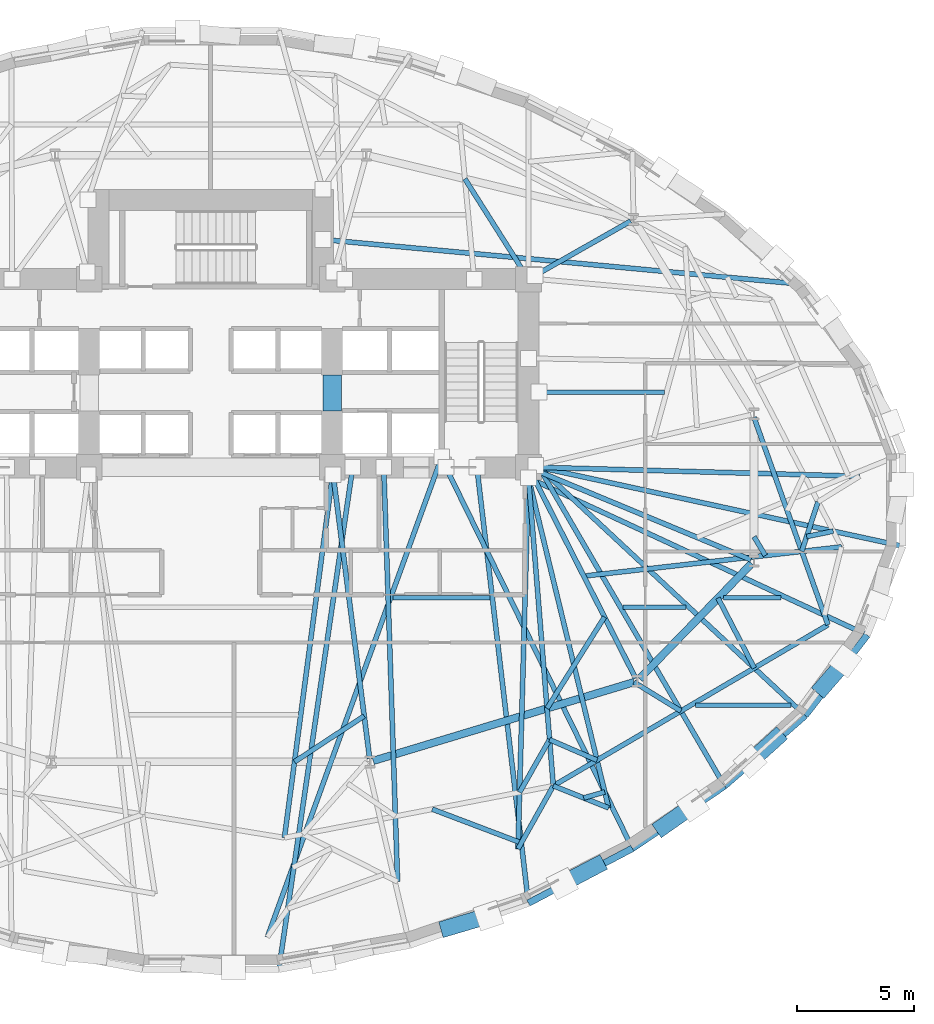
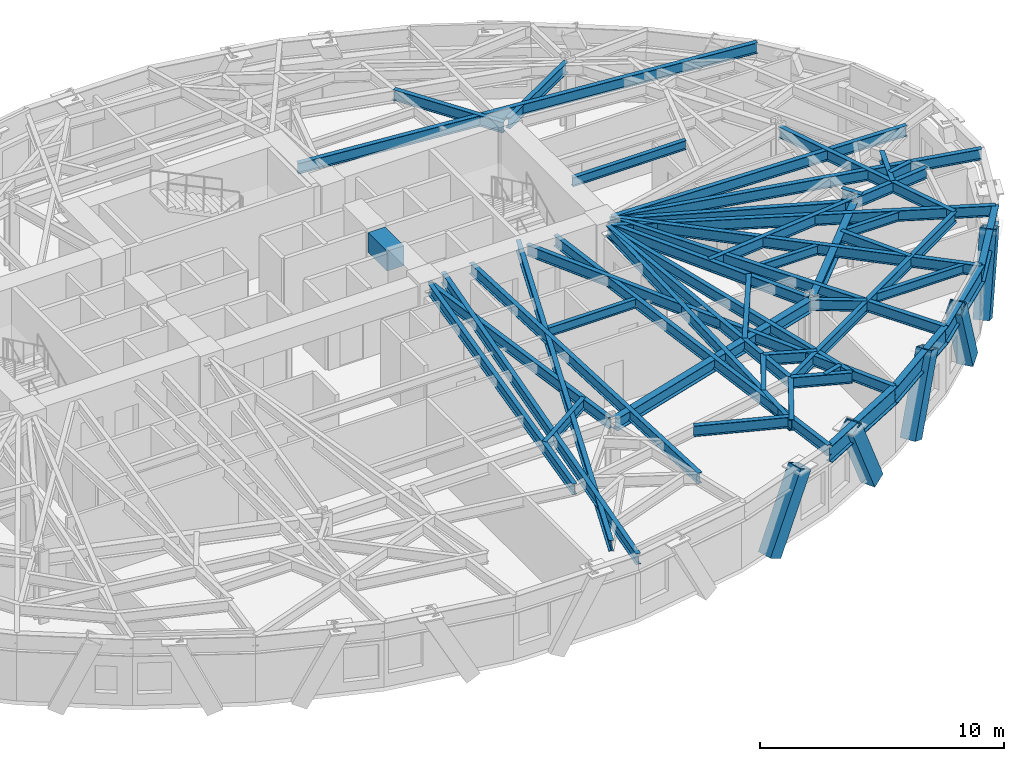
# One storey, part 3 of 14: 48 beams, 5 members.
"""IFC4 building model written with IfcOpenShell, lengths in metres."""

from ifc_helpers import new_model, si_unit, direction, frame, origin, origin_2d, place, context, subcontext, project, spatial, rectangle, hollow_rectangle, i_section, extrude, material, material_profile, profile_set, type_object, element, save


model = new_model("IFC4")

# Units and contexts
model_context = context("Model", 3, precision=1e-05, world=origin(), true_north=direction((0.0, 1.0)))
body_context = subcontext(model_context, "Body", "Model", "MODEL_VIEW")
ifc_project = project(units=[si_unit("LENGTHUNIT", "METRE"), si_unit("AREAUNIT", "SQUARE_METRE"), si_unit("VOLUMEUNIT", "CUBIC_METRE"), si_unit("PLANEANGLEUNIT", "RADIAN"), si_unit("MASSUNIT", "GRAM", prefix="KILO")], contexts=[model_context])

# Site, building, storey
site_placement = place(None, origin())
site = spatial("IfcSite", under=ifc_project, at=site_placement, CompositionType="ELEMENT")
building_placement = place(site_placement, origin())
building = spatial("IfcBuilding", under=site, at=building_placement, Name="Keldmark Tower", CompositionType="ELEMENT")
storey_placement = place(building_placement, frame((0.0, 0.0, 63.0)))
storey = spatial("IfcBuildingStorey", under=building, at=storey_placement, Name="L16", CompositionType="ELEMENT", Elevation=63.0)

# Beams
ifc_material_1 = material(Name="Steel ASTM A992 Grade 50", Category="steel")
ifc_material_profile_1 = material_profile(ifc_material_1, i_section(OverallWidth=0.19091796875, OverallDepth=0.45703125, WebThickness=0.009033203125, FlangeThickness=0.014404296875, at=origin_2d()), Name="W18X50")
ifc_profile_set_1 = profile_set([ifc_material_profile_1], Name="Steel ASTM A992 Grade 50")
beam_type_1 = type_object("IfcBeamType", Name="Composite Floor Joist W18X50", PredefinedType="JOIST", material=ifc_profile_set_1)
beam_1_placement = place(storey_placement, frame((20.750732421875, -8.780029296875, 3.17138671875), z_axis=(1.0, 0.0, 0.0), x_axis=(0.0, 1.0, 0.0)))
element("IfcBeam", 1, at=beam_1_placement, inside=storey, type_object=beam_type_1, Name="L16 Composite Floor Joist J04", PredefinedType="JOIST", context=body_context, shape_type="SweptSolid", body=[
    extrude(i_section(OverallWidth=0.19091796875, OverallDepth=0.45703125, WebThickness=0.009033203125, FlangeThickness=0.014404296875, at=origin_2d()), origin(), (0.0, 0.0, 1.0), 4.07666015625),
])
beam_2_placement = place(storey_placement, frame((7.802978515625, -4.179931640625, 3.17138671875), z_axis=(1.0, 0.0, 0.0), x_axis=(0.0, 1.0, 0.0)))
element("IfcBeam", 2, at=beam_2_placement, inside=storey, type_object=beam_type_1, Name="L16 Composite Floor Joist J09", PredefinedType="JOIST", context=body_context, shape_type="SweptSolid", body=[
    extrude(i_section(OverallWidth=0.19091796875, OverallDepth=0.45703125, WebThickness=0.009033203125, FlangeThickness=0.014404296875, at=origin_2d()), origin(), (0.0, 0.0, 1.0), 4.153564453125),
])
beam_3_placement = place(storey_placement, frame((17.656005859375, -4.60009765625, 3.17138671875), z_axis=(1.0, 0.0, 0.0), x_axis=(0.0, 1.0, 0.0)))
element("IfcBeam", 3, at=beam_3_placement, inside=storey, type_object=beam_type_1, Name="L16 Composite Floor Joist J10", PredefinedType="JOIST", context=body_context, shape_type="SweptSolid", body=[
    extrude(i_section(OverallWidth=0.19091796875, OverallDepth=0.45703125, WebThickness=0.009033203125, FlangeThickness=0.014404296875, at=origin_2d()), origin(), (0.0, 0.0, 1.0), 2.687255859375),
])
beam_4_placement = place(storey_placement, frame((21.945556640625, -4.179931640625, 3.17138671875), z_axis=(1.0, 0.0, 0.0), x_axis=(0.0, 1.0, 0.0)))
element("IfcBeam", 4, at=beam_4_placement, inside=storey, type_object=beam_type_1, Name="L16 Composite Floor Joist J11", PredefinedType="JOIST", context=body_context, shape_type="SweptSolid", body=[
    extrude(i_section(OverallWidth=0.19091796875, OverallDepth=0.45703125, WebThickness=0.009033203125, FlangeThickness=0.014404296875, at=origin_2d()), origin(), (0.0, 0.0, 1.0), 2.47216796875),
])
beam_5_placement = place(storey_placement, frame((14.044921875, 4.6201171875, 3.17138671875), z_axis=(1.0, 0.0, 0.0), x_axis=(0.0, 1.0, 0.0)))
element("IfcBeam", 5, at=beam_5_placement, inside=storey, type_object=beam_type_1, Name="L16 Composite Floor Joist J14", PredefinedType="JOIST", context=body_context, shape_type="SweptSolid", body=[
    extrude(i_section(OverallWidth=0.19091796875, OverallDepth=0.45703125, WebThickness=0.009033203125, FlangeThickness=0.014404296875, at=origin_2d()), origin(), (0.0, 0.0, 1.0), 5.3681640625),
])
ifc_material_2 = material(Name="Concrete C70/85", Category="concrete")
ifc_material_profile_2 = material_profile(ifc_material_2, rectangle(XDim=0.800048828125, YDim=1.0, at=origin_2d()), Name="RCB800X1000")
ifc_profile_set_2 = profile_set([ifc_material_profile_2], Name="Concrete C70/85")
beam_type_2 = type_object("IfcBeamType", Name="Core Coupling Beam RCB800X1000", PredefinedType="USERDEFINED", material=ifc_profile_set_2)
beam_6_placement = place(storey_placement, frame((5.199951171875, 3.800048828125, 2.89990234375), z_axis=(0.0, 1.0, 0.0), x_axis=(-1.0, 0.0, 0.0)))
element("IfcBeam", 6, at=beam_6_placement, inside=storey, type_object=beam_type_2, Name="L16 East Core Coupling Beam", ObjectType="COUPLING BEAM", PredefinedType="USERDEFINED", context=body_context, shape_type="SweptSolid", body=[
    extrude(rectangle(XDim=0.800048828125, YDim=1.0, at=origin_2d()), origin(), (0.0, 0.0, 1.0), 1.550048828125),
])

# Members
ifc_material_3 = material(Name="Steel ASTM A572 Grade 50", Category="steel")
ifc_material_profile_3 = material_profile(ifc_material_3, hollow_rectangle(XDim=0.699951171875, YDim=0.699951171875, WallThickness=0.054931640625, at=origin_2d()), Name="BOX700X700X55")
ifc_profile_set_3 = profile_set([ifc_material_profile_3], Name="Steel ASTM A572 Grade 50")
member_type = type_object("IfcMemberType", Name="Diagrid Zone 1 Brace BOX700X700X55", PredefinedType="BRACE", material=ifc_profile_set_3)
member_1_placement = place(storey_placement, frame((10.156005859375, -18.30810546875, -0.280029296875), z_axis=(0.434388058755, 0.1284516976, 0.891519588004), x_axis=(-0.283569007864, 0.958951832877, 0.0)))
element("IfcMember", 7, at=member_1_placement, inside=storey, type_object=member_type, Name="L16 Perimeter Diagrid Brace 13B", PredefinedType="BRACE", context=body_context, shape_type="SweptSolid", body=[
    extrude(hollow_rectangle(XDim=0.699951171875, YDim=0.699951171875, WallThickness=0.054931640625, at=origin_2d()), origin(), (0.0, 0.0, 1.0), 3.9931640625),
])
member_2_placement = place(storey_placement, frame((16.54150390625, -15.637451171875, -0.280029296875), z_axis=(-0.37769881727, -0.198648491251, 0.904368498101), x_axis=(0.465488856033, -0.885053741255, 0.0)))
element("IfcMember", 8, at=member_2_placement, inside=storey, type_object=member_type, Name="L16 Perimeter Diagrid Brace 14A", PredefinedType="BRACE", context=body_context, shape_type="SweptSolid", body=[
    extrude(hollow_rectangle(XDim=0.699951171875, YDim=0.699951171875, WallThickness=0.054931640625, at=origin_2d()), origin(), (0.0, 0.0, 1.0), 3.9365234375),
])
member_3_placement = place(storey_placement, frame((19.345947265625, -13.988525390625, -0.280029296875), z_axis=(0.332120500074, 0.232572113113, 0.914114973968), x_axis=(-0.57360760763, 0.819130217041, 0.0)))
element("IfcMember", 9, at=member_3_placement, inside=storey, type_object=member_type, Name="L16 Perimeter Diagrid Brace 14B", PredefinedType="BRACE", context=body_context, shape_type="SweptSolid", body=[
    extrude(hollow_rectangle(XDim=0.699951171875, YDim=0.699951171875, WallThickness=0.054931640625, at=origin_2d()), origin(), (0.0, 0.0, 1.0), 3.89453125),
])
member_4_placement = place(storey_placement, frame((24.220947265625, -10.180419921875, -0.280029296875), z_axis=(-0.290671768212, -0.262084206119, 0.920229206267), x_axis=(0.66964149585, -0.742684500334, 0.0)))
element("IfcMember", 10, at=member_4_placement, inside=storey, type_object=member_type, Name="L16 Perimeter Diagrid Brace 15A", PredefinedType="BRACE", context=body_context, shape_type="SweptSolid", body=[
    extrude(hollow_rectangle(XDim=0.699951171875, YDim=0.699951171875, WallThickness=0.054931640625, at=origin_2d()), origin(), (0.0, 0.0, 1.0), 3.86865234375),
])
member_5_placement = place(storey_placement, frame((26.187255859375, -8.02197265625, -0.280029296875), z_axis=(0.252370658854, 0.291162838863, 0.922785593632), x_axis=(-0.755651148776, 0.654974305873, 0.0)))
element("IfcMember", 11, at=member_5_placement, inside=storey, type_object=member_type, Name="L16 Perimeter Diagrid Brace 15B", PredefinedType="BRACE", context=body_context, shape_type="SweptSolid", body=[
    extrude(hollow_rectangle(XDim=0.699951171875, YDim=0.699951171875, WallThickness=0.054931640625, at=origin_2d()), origin(), (0.0, 0.0, 1.0), 3.85791015625),
])

# Beams
ifc_material_4 = material(Name="Steel ASTM A992 Grade 50", Category="steel")
ifc_material_profile_4 = material_profile(ifc_material_4, i_section(OverallWidth=0.323974609375, OverallDepth=0.611083984375, WebThickness=0.0126953125, FlangeThickness=0.01904296875, at=origin_2d()), Name="W24X104")
ifc_profile_set_4 = profile_set([ifc_material_profile_4], Name="Steel ASTM A992 Grade 50")
beam_type_3 = type_object("IfcBeamType", Name="Primary Floor Girder W24X104", PredefinedType="BEAM", material=ifc_profile_set_4)
beam_7_placement = place(storey_placement, frame((6.9560546875, -11.165283203125, 3.094482421875), z_axis=(0.957346071406, 0.2889437654, 0.0), x_axis=(-0.2889437654, 0.957346071406, 0.0)))
element("IfcBeam", 12, at=beam_7_placement, inside=storey, type_object=beam_type_3, Name="L16 Floor Ring Girder FG-R10", PredefinedType="BEAM", context=body_context, shape_type="SweptSolid", body=[
    extrude(i_section(OverallWidth=0.323974609375, OverallDepth=0.611083984375, WebThickness=0.0126953125, FlangeThickness=0.01904296875, at=origin_2d()), origin(), (0.0, 0.0, 1.0), 11.66015625),
])
beam_8_placement = place(storey_placement, frame((18.350341796875, -7.6552734375, 3.094482421875), z_axis=(0.697210382268, 0.716866572563, 0.0), x_axis=(-0.716866572563, 0.697210382268, 0.0)))
element("IfcBeam", 13, at=beam_8_placement, inside=storey, type_object=beam_type_3, Name="L16 Floor Ring Girder FG-R11", PredefinedType="BEAM", context=body_context, shape_type="SweptSolid", body=[
    extrude(i_section(OverallWidth=0.323974609375, OverallDepth=0.611083984375, WebThickness=0.0126953125, FlangeThickness=0.01904296875, at=origin_2d()), origin(), (0.0, 0.0, 1.0), 6.893310546875),
])
ifc_material_5 = material(Name="Steel ASTM A992 Grade 50", Category="steel")
ifc_material_profile_5 = material_profile(ifc_material_5, i_section(OverallWidth=0.2099609375, OverallDepth=0.537109375, WebThickness=0.010986328125, FlangeThickness=0.017333984375, at=origin_2d()), Name="W21X68")
ifc_profile_set_5 = profile_set([ifc_material_profile_5], Name="Steel ASTM A992 Grade 50")
beam_type_4 = type_object("IfcBeamType", Name="Radial Tie Girder W21X68", PredefinedType="BEAM", material=ifc_profile_set_5)
beam_9_placement = place(storey_placement, frame((13.60009765625, 9.449951171875, 3.131591796875), z_axis=(-0.534975531719, 0.844867552023, 0.0), x_axis=(-0.844867552023, -0.534975531719, 0.0)))
element("IfcBeam", 14, at=beam_9_placement, inside=storey, type_object=beam_type_4, Name="L16 Framing Pin Header PH-002", PredefinedType="BEAM", context=body_context, shape_type="SweptSolid", body=[
    extrude(i_section(OverallWidth=0.2099609375, OverallDepth=0.537109375, WebThickness=0.010986328125, FlangeThickness=0.017333984375, at=origin_2d()), origin(), (0.0, 0.0, 1.0), 5.083740234375),
])
beam_10_placement = place(storey_placement, frame((23.25390625, -1.571533203125, 3.131591796875), z_axis=(0.517202773084, -0.855862892941, 0.0), x_axis=(0.855862892941, 0.517202773084, 0.0)))
element("IfcBeam", 15, at=beam_10_placement, inside=storey, type_object=beam_type_4, Name="L16 Framing Pin Header PH-006", PredefinedType="BEAM", context=body_context, shape_type="SweptSolid", body=[
    extrude(i_section(OverallWidth=0.2099609375, OverallDepth=0.537109375, WebThickness=0.010986328125, FlangeThickness=0.017333984375, at=origin_2d()), origin(), (0.0, 0.0, 1.0), 0.940673828125),
])
beam_11_placement = place(storey_placement, frame((15.96728515625, -3.258056640625, 3.131591796875), z_axis=(0.99363203198, 0.112673799191, 0.0), x_axis=(-0.112673799191, 0.99363203198, 0.0)))
element("IfcBeam", 16, at=beam_11_placement, inside=storey, type_object=beam_type_4, Name="L16 Sub-Ring Step Girder STP1-M12", PredefinedType="BEAM", context=body_context, shape_type="SweptSolid", body=[
    extrude(i_section(OverallWidth=0.2099609375, OverallDepth=0.537109375, WebThickness=0.010986328125, FlangeThickness=0.017333984375, at=origin_2d()), origin(), (0.0, 0.0, 1.0), 11.1005859375),
])
beam_12_placement = place(storey_placement, frame((6.569580078125, -9.24462890625, 3.131591796875), z_axis=(-0.835579011647, -0.549370289782, 0.0), x_axis=(0.549370289782, -0.835579011647, 0.0)))
element("IfcBeam", 17, at=beam_12_placement, inside=storey, type_object=beam_type_4, Name="L16 Framing Pin Header PH-012", PredefinedType="BEAM", context=body_context, shape_type="SweptSolid", body=[
    extrude(i_section(OverallWidth=0.2099609375, OverallDepth=0.537109375, WebThickness=0.010986328125, FlangeThickness=0.017333984375, at=origin_2d()), origin(), (0.0, 0.0, 1.0), 3.56982421875),
])
beam_13_placement = place(storey_placement, frame((5.199951171875, 0.949951171875, 3.131591796875), z_axis=(-0.131567897642, -0.991307161434, 0.0), x_axis=(0.991307161434, -0.131567897642, 0.0)))
element("IfcBeam", 18, at=beam_13_placement, inside=storey, type_object=beam_type_4, Name="L16 Sub-Ring Step Girder STP2-M10", PredefinedType="BEAM", context=body_context, shape_type="SweptSolid", body=[
    extrude(i_section(OverallWidth=0.2099609375, OverallDepth=0.537109375, WebThickness=0.010986328125, FlangeThickness=0.017333984375, at=origin_2d()), origin(), (0.0, 0.0, 1.0), 15.540771484375),
])
beam_14_placement = place(storey_placement, frame((16.856201171875, -5.007080078125, 3.131591796875), z_axis=(-0.532228883674, -0.846600505187, 0.0), x_axis=(0.846600505187, -0.532228883674, 0.0)))
element("IfcBeam", 19, at=beam_14_placement, inside=storey, type_object=beam_type_4, Name="L16 Framing Pin Header PH-013", PredefinedType="BEAM", context=body_context, shape_type="SweptSolid", body=[
    extrude(i_section(OverallWidth=0.2099609375, OverallDepth=0.537109375, WebThickness=0.010986328125, FlangeThickness=0.017333984375, at=origin_2d()), origin(), (0.0, 0.0, 1.0), 4.62158203125),
])
beam_15_placement = place(storey_placement, frame((13.60009765625, 0.949951171875, 3.131591796875), z_axis=(0.080423826323, -0.996760757735, 0.0), x_axis=(0.996760757735, 0.080423826323, 0.0)))
element("IfcBeam", 20, at=beam_15_placement, inside=storey, type_object=beam_type_4, Name="L16 Sub-Ring Step Girder STP2-M11", PredefinedType="BEAM", context=body_context, shape_type="SweptSolid", body=[
    extrude(i_section(OverallWidth=0.2099609375, OverallDepth=0.537109375, WebThickness=0.010986328125, FlangeThickness=0.017333984375, at=origin_2d()), origin(), (0.0, 0.0, 1.0), 13.226318359375),
])
beam_16_placement = place(storey_placement, frame((25.993896484375, -0.079833984375, 3.131591796875), z_axis=(-0.311727200887, -0.950171643561, 0.0), x_axis=(0.950171643561, -0.311727200887, 0.0)))
element("IfcBeam", 21, at=beam_16_placement, inside=storey, type_object=beam_type_4, Name="L16 Framing Pin Header PH-014", PredefinedType="BEAM", context=body_context, shape_type="SweptSolid", body=[
    extrude(i_section(OverallWidth=0.2099609375, OverallDepth=0.537109375, WebThickness=0.010986328125, FlangeThickness=0.017333984375, at=origin_2d()), origin(), (0.0, 0.0, 1.0), 2.231201171875),
])
beam_17_placement = place(storey_placement, frame((23.25390625, 3.537109375, 3.131591796875), z_axis=(0.335683421375, -0.941974861986, 0.0), x_axis=(0.941974861986, 0.335683421375, 0.0)))
element("IfcBeam", 22, at=beam_17_placement, inside=storey, type_object=beam_type_4, Name="L16 Sub-Ring Step Girder STP2-M12", PredefinedType="BEAM", context=body_context, shape_type="SweptSolid", body=[
    extrude(i_section(OverallWidth=0.2099609375, OverallDepth=0.537109375, WebThickness=0.010986328125, FlangeThickness=0.017333984375, at=origin_2d()), origin(), (0.0, 0.0, 1.0), 9.427978515625),
])
beam_18_placement = place(storey_placement, frame((14.663818359375, -12.233642578125, 3.131591796875), z_axis=(0.862726812284, 0.50567029512, 0.0), x_axis=(-0.50567029512, 0.862726812284, 0.0)))
element("IfcBeam", 23, at=beam_18_placement, inside=storey, type_object=beam_type_4, Name="L16 Perimeter Collector Ring Beam CRG2-M11", PredefinedType="BEAM", context=body_context, shape_type="SweptSolid", body=[
    extrude(i_section(OverallWidth=0.2099609375, OverallDepth=0.537109375, WebThickness=0.010986328125, FlangeThickness=0.017333984375, at=origin_2d()), origin(), (0.0, 0.0, 1.0), 13.625244140625),
])
beam_19_placement = place(storey_placement, frame((14.050048828125, 1.39990234375, 3.131591796875), z_axis=(0.999609123479, -0.027957114632, 0.0), x_axis=(0.027957114632, 0.999609123479, 0.0)))
element("IfcBeam", 24, at=beam_19_placement, inside=storey, type_object=beam_type_4, Name="L16 Intermediate Radial Step Girder RT-01M", PredefinedType="BEAM", context=body_context, shape_type="SweptSolid", body=[
    extrude(i_section(OverallWidth=0.2099609375, OverallDepth=0.537109375, WebThickness=0.010986328125, FlangeThickness=0.017333984375, at=origin_2d()), origin(), (0.0, 0.0, 1.0), 13.727783203125),
])
beam_20_placement = place(storey_placement, frame((4.800048828125, 11.14990234375, 3.131591796875), z_axis=(0.995666345303, -0.092997466801, 0.0), x_axis=(0.092997466801, 0.995666345303, 0.0)))
element("IfcBeam", 25, at=beam_20_placement, inside=storey, type_object=beam_type_4, Name="L16 Perimeter Radial Tie Girder RT-03", PredefinedType="BEAM", context=body_context, shape_type="SweptSolid", body=[
    extrude(i_section(OverallWidth=0.2099609375, OverallDepth=0.537109375, WebThickness=0.010986328125, FlangeThickness=0.017333984375, at=origin_2d()), origin(), (0.0, 0.0, 1.0), 20.734130859375),
])
beam_21_placement = place(storey_placement, frame((7.406982421875, 1.39990234375, 3.131591796875), z_axis=(0.033373918622, -0.999442935618, 0.0), x_axis=(0.999442935618, 0.033373918622, 0.0)))
element("IfcBeam", 26, at=beam_21_placement, inside=storey, type_object=beam_type_4, Name="L16 Intermediate Radial Step Girder RT-26M", PredefinedType="BEAM", context=body_context, shape_type="SweptSolid", body=[
    extrude(i_section(OverallWidth=0.2099609375, OverallDepth=0.537109375, WebThickness=0.010986328125, FlangeThickness=0.017333984375, at=origin_2d()), origin(), (0.0, 0.0, 1.0), 17.746826171875),
])
beam_22_placement = place(storey_placement, frame((14.504150390625, -10.256103515625, 3.131591796875), z_axis=(-0.4944973001, -0.869179164611, 0.0), x_axis=(0.869179164611, -0.4944973001, 0.0)))
element("IfcBeam", 27, at=beam_22_placement, inside=storey, type_object=beam_type_4, Name="L16 Framing Pin Header PH-036", PredefinedType="BEAM", context=body_context, shape_type="SweptSolid", body=[
    extrude(i_section(OverallWidth=0.2099609375, OverallDepth=0.537109375, WebThickness=0.010986328125, FlangeThickness=0.017333984375, at=origin_2d()), origin(), (0.0, 0.0, 1.0), 2.595947265625),
])
beam_23_placement = place(storey_placement, frame((13.60009765625, 0.949951171875, 3.131591796875), z_axis=(-0.0281961205, -0.999602410356, 0.0), x_axis=(0.999602410356, -0.0281961205, 0.0)))
element("IfcBeam", 28, at=beam_23_placement, inside=storey, type_object=beam_type_4, Name="L16 Intermediate Radial Step Girder RT-27M", PredefinedType="BEAM", context=body_context, shape_type="SweptSolid", body=[
    extrude(i_section(OverallWidth=0.2099609375, OverallDepth=0.537109375, WebThickness=0.010986328125, FlangeThickness=0.017333984375, at=origin_2d()), origin(), (0.0, 0.0, 1.0), 15.888671875),
])
beam_24_placement = place(storey_placement, frame((14.663818359375, -12.233642578125, 3.131591796875), z_axis=(-0.488709112577, -0.87244679109, 0.0), x_axis=(0.87244679109, -0.488709112577, 0.0)))
element("IfcBeam", 29, at=beam_24_placement, inside=storey, type_object=beam_type_4, Name="L16 Local Collector Chord RT-27C", PredefinedType="BEAM", context=body_context, shape_type="SweptSolid", body=[
    extrude(i_section(OverallWidth=0.2099609375, OverallDepth=0.537109375, WebThickness=0.010986328125, FlangeThickness=0.017333984375, at=origin_2d()), origin(), (0.0, 0.0, 1.0), 3.09326171875),
])
beam_25_placement = place(storey_placement, frame((9.48486328125, -13.233642578125, 3.131591796875), z_axis=(0.935181697232, -0.354168311913, 0.0), x_axis=(0.354168311913, 0.935181697232, 0.0)))
element("IfcBeam", 30, at=beam_25_placement, inside=storey, type_object=beam_type_4, Name="L16 Framing Pin Header PH-037", PredefinedType="BEAM", context=body_context, shape_type="SweptSolid", body=[
    extrude(i_section(OverallWidth=0.2099609375, OverallDepth=0.537109375, WebThickness=0.010986328125, FlangeThickness=0.017333984375, at=origin_2d()), origin(), (0.0, 0.0, 1.0), 4.07470703125),
])
beam_26_placement = place(storey_placement, frame((11.392822265625, 1.39990234375, 3.131591796875), z_axis=(0.117516192305, -0.993070966521, 0.0), x_axis=(0.993070966521, 0.117516192305, 0.0)))
element("IfcBeam", 31, at=beam_26_placement, inside=storey, type_object=beam_type_4, Name="L16 Perimeter Radial Tie Girder RT-27", PredefinedType="BEAM", context=body_context, shape_type="SweptSolid", body=[
    extrude(i_section(OverallWidth=0.2099609375, OverallDepth=0.537109375, WebThickness=0.010986328125, FlangeThickness=0.017333984375, at=origin_2d()), origin(), (0.0, 0.0, 1.0), 18.78271484375),
])
beam_27_placement = place(storey_placement, frame((14.504150390625, -10.256103515625, 3.131591796875), z_axis=(0.91756367011, -0.397588872196, 0.0), x_axis=(0.397588872196, 0.91756367011, 0.0)))
element("IfcBeam", 32, at=beam_27_placement, inside=storey, type_object=beam_type_4, Name="L16 Framing Pin Header PH-038", PredefinedType="BEAM", context=body_context, shape_type="SweptSolid", body=[
    extrude(i_section(OverallWidth=0.2099609375, OverallDepth=0.537109375, WebThickness=0.010986328125, FlangeThickness=0.017333984375, at=origin_2d()), origin(), (0.0, 0.0, 1.0), 2.21435546875),
])
beam_28_placement = place(storey_placement, frame((13.60009765625, 0.949951171875, 3.131591796875), z_axis=(0.236037880453, -0.97174385462, 0.0), x_axis=(0.97174385462, 0.236037880453, 0.0)))
element("IfcBeam", 33, at=beam_28_placement, inside=storey, type_object=beam_type_4, Name="L16 Intermediate Radial Step Girder RT-28M", PredefinedType="BEAM", context=body_context, shape_type="SweptSolid", body=[
    extrude(i_section(OverallWidth=0.2099609375, OverallDepth=0.537109375, WebThickness=0.010986328125, FlangeThickness=0.017333984375, at=origin_2d()), origin(), (0.0, 0.0, 1.0), 14.53759765625),
])
beam_29_placement = place(storey_placement, frame((14.663818359375, -12.233642578125, 3.131591796875), z_axis=(0.92901085255, -0.37005247715, 0.0), x_axis=(0.37005247715, 0.92901085255, 0.0)))
element("IfcBeam", 34, at=beam_29_placement, inside=storey, type_object=beam_type_4, Name="L16 Local Collector Chord RT-28C", PredefinedType="BEAM", context=body_context, shape_type="SweptSolid", body=[
    extrude(i_section(OverallWidth=0.2099609375, OverallDepth=0.537109375, WebThickness=0.010986328125, FlangeThickness=0.017333984375, at=origin_2d()), origin(), (0.0, 0.0, 1.0), 2.548583984375),
])
beam_30_placement = place(storey_placement, frame((15.966064453125, -12.75244140625, 3.131591796875), z_axis=(0.961897160872, 0.273411506535, 0.0), x_axis=(-0.273411506535, 0.961897160872, 0.0)))
element("IfcBeam", 35, at=beam_30_placement, inside=storey, type_object=beam_type_4, Name="L16 Framing Pin Header PH-039", PredefinedType="BEAM", context=body_context, shape_type="SweptSolid", body=[
    extrude(i_section(OverallWidth=0.2099609375, OverallDepth=0.537109375, WebThickness=0.010986328125, FlangeThickness=0.017333984375, at=origin_2d()), origin(), (0.0, 0.0, 1.0), 0.935791015625),
])
beam_31_placement = place(storey_placement, frame((10.064208984375, 1.39990234375, 3.131591796875), z_axis=(0.439637091507, -0.898175499427, 0.0), x_axis=(0.898175499427, 0.439637091507, 0.0)))
element("IfcBeam", 36, at=beam_31_placement, inside=storey, type_object=beam_type_4, Name="L16 Perimeter Radial Tie Girder RT-28", PredefinedType="BEAM", context=body_context, shape_type="SweptSolid", body=[
    extrude(i_section(OverallWidth=0.2099609375, OverallDepth=0.537109375, WebThickness=0.010986328125, FlangeThickness=0.017333984375, at=origin_2d()), origin(), (0.0, 0.0, 1.0), 18.16064453125),
])
beam_32_placement = place(storey_placement, frame((18.118896484375, -7.796142578125, 3.131591796875), z_axis=(0.851373663021, -0.524559706721, 0.0), x_axis=(0.524559706721, 0.851373663021, 0.0)))
element("IfcBeam", 37, at=beam_32_placement, inside=storey, type_object=beam_type_4, Name="L16 Framing Pin Header PH-040", PredefinedType="BEAM", context=body_context, shape_type="SweptSolid", body=[
    extrude(i_section(OverallWidth=0.2099609375, OverallDepth=0.537109375, WebThickness=0.010986328125, FlangeThickness=0.017333984375, at=origin_2d()), origin(), (0.0, 0.0, 1.0), 2.35693359375),
])
beam_33_placement = place(storey_placement, frame((14.050048828125, 1.39990234375, 3.131591796875), z_axis=(0.503236062188, -0.864148983517, 0.0), x_axis=(0.864148983517, 0.503236062188, 0.0)))
element("IfcBeam", 38, at=beam_33_placement, inside=storey, type_object=beam_type_4, Name="L16 Perimeter Radial Tie Girder RT-29", PredefinedType="BEAM", context=body_context, shape_type="SweptSolid", body=[
    extrude(i_section(OverallWidth=0.2099609375, OverallDepth=0.537109375, WebThickness=0.010986328125, FlangeThickness=0.017333984375, at=origin_2d()), origin(), (0.0, 0.0, 1.0), 15.78173828125),
])
beam_34_placement = place(storey_placement, frame((21.714599609375, -4.196044921875, 3.131591796875), z_axis=(0.459991814893, -0.887923155589, 0.0), x_axis=(0.887923155589, 0.459991814893, 0.0)))
element("IfcBeam", 39, at=beam_34_placement, inside=storey, type_object=beam_type_4, Name="L16 Framing Pin Header PH-041", PredefinedType="BEAM", context=body_context, shape_type="SweptSolid", body=[
    extrude(i_section(OverallWidth=0.2099609375, OverallDepth=0.537109375, WebThickness=0.010986328125, FlangeThickness=0.017333984375, at=origin_2d()), origin(), (0.0, 0.0, 1.0), 3.37353515625),
])
beam_35_placement = place(storey_placement, frame((14.050048828125, 1.39990234375, 3.131591796875), z_axis=(0.731474168829, -0.681869151916, 0.0), x_axis=(0.681869151916, 0.731474168829, 0.0)))
element("IfcBeam", 40, at=beam_35_placement, inside=storey, type_object=beam_type_4, Name="L16 Perimeter Radial Tie Girder RT-30", PredefinedType="BEAM", context=body_context, shape_type="SweptSolid", body=[
    extrude(i_section(OverallWidth=0.2099609375, OverallDepth=0.537109375, WebThickness=0.010986328125, FlangeThickness=0.017333984375, at=origin_2d()), origin(), (0.0, 0.0, 1.0), 15.5771484375),
])
beam_36_placement = place(storey_placement, frame((13.60009765625, 0.949951171875, 3.131591796875), z_axis=(0.907056049937, -0.421009883819, 0.0), x_axis=(0.421009883819, 0.907056049937, 0.0)))
element("IfcBeam", 41, at=beam_36_placement, inside=storey, type_object=beam_type_4, Name="L16 Perimeter Radial Tie Girder RT-31", PredefinedType="BEAM", context=body_context, shape_type="SweptSolid", body=[
    extrude(i_section(OverallWidth=0.2099609375, OverallDepth=0.537109375, WebThickness=0.010986328125, FlangeThickness=0.017333984375, at=origin_2d()), origin(), (0.0, 0.0, 1.0), 15.984130859375),
])
beam_37_placement = place(storey_placement, frame((25.507080078125, -1.56396484375, 3.131591796875), z_axis=(0.980011004838, 0.198943284369, 0.0), x_axis=(-0.198943284369, 0.980011004838, 0.0)))
element("IfcBeam", 42, at=beam_37_placement, inside=storey, type_object=beam_type_4, Name="L16 Framing Pin Header PH-043", PredefinedType="BEAM", context=body_context, shape_type="SweptSolid", body=[
    extrude(i_section(OverallWidth=0.2099609375, OverallDepth=0.537109375, WebThickness=0.010986328125, FlangeThickness=0.017333984375, at=origin_2d()), origin(), (0.0, 0.0, 1.0), 1.162109375),
])
beam_38_placement = place(storey_placement, frame((14.050048828125, 1.39990234375, 3.131591796875), z_axis=(0.977264648871, -0.212023126257, 0.0), x_axis=(0.212023126257, 0.977264648871, 0.0)))
element("IfcBeam", 43, at=beam_38_placement, inside=storey, type_object=beam_type_4, Name="L16 Perimeter Radial Tie Girder RT-32", PredefinedType="BEAM", context=body_context, shape_type="SweptSolid", body=[
    extrude(i_section(OverallWidth=0.2099609375, OverallDepth=0.537109375, WebThickness=0.010986328125, FlangeThickness=0.017333984375, at=origin_2d()), origin(), (0.0, 0.0, 1.0), 15.93310546875),
])
beam_39_placement = place(storey_placement, frame((9.889892578125, 1.85009765625, 3.131591796875), z_axis=(-0.341269843144, -0.939965368596, 0.0), x_axis=(0.939965368596, -0.341269843144, 0.0)))
element("IfcBeam", 44, at=beam_39_placement, inside=storey, type_object=beam_type_4, Name="L16 Crown Step Radial Girder RT-25RN2", PredefinedType="BEAM", context=body_context, shape_type="SweptSolid", body=[
    extrude(i_section(OverallWidth=0.2099609375, OverallDepth=0.537109375, WebThickness=0.010986328125, FlangeThickness=0.017333984375, at=origin_2d()), origin(), (0.0, 0.0, 1.0), 21.873779296875),
])
beam_40_placement = place(storey_placement, frame((6.07861328125, 1.39990234375, 3.131591796875), z_axis=(-0.145569080309, -0.989348089834, 0.0), x_axis=(0.989348089834, -0.145569080309, 0.0)))
element("IfcBeam", 45, at=beam_40_placement, inside=storey, type_object=beam_type_4, Name="L16 Perimeter Radial Tie Girder RT-25R", PredefinedType="BEAM", context=body_context, shape_type="SweptSolid", body=[
    extrude(i_section(OverallWidth=0.2099609375, OverallDepth=0.537109375, WebThickness=0.010986328125, FlangeThickness=0.017333984375, at=origin_2d()), origin(), (0.0, 0.0, 1.0), 21.715576171875),
])
ifc_material_6 = material(Name="Steel ASTM A992 Grade 50", Category="steel")
ifc_material_profile_6 = material_profile(ifc_material_6, i_section(OverallWidth=0.214111328125, OverallDepth=0.549072265625, WebThickness=0.0146484375, FlangeThickness=0.023681640625, at=origin_2d()), Name="W21X93")
ifc_profile_set_6 = profile_set([ifc_material_profile_6], Name="Steel ASTM A992 Grade 50")
beam_type_5 = type_object("IfcBeamType", Name="Radial Tie Girder W21X93", PredefinedType="BEAM", material=ifc_profile_set_6)
beam_41_placement = place(storey_placement, frame((17.97607421875, 11.938232421875, 3.12548828125), z_axis=(-0.869299282131, -0.494286109542, 0.0), x_axis=(0.494286109542, -0.869299282131, 0.0)))
element("IfcBeam", 46, at=beam_41_placement, inside=storey, type_object=beam_type_5, Name="L16 Floor Radial Girder FG-C02", PredefinedType="BEAM", context=body_context, shape_type="SweptSolid", body=[
    extrude(i_section(OverallWidth=0.214111328125, OverallDepth=0.549072265625, WebThickness=0.0146484375, FlangeThickness=0.023681640625, at=origin_2d()), origin(), (0.0, 0.0, 1.0), 4.714111328125),
])
beam_42_placement = place(storey_placement, frame((6.80419921875, -11.06689453125, 3.12548828125), z_axis=(-0.127634898593, 0.99182122011, 0.0), x_axis=(-0.99182122011, -0.127634898593, 0.0)))
element("IfcBeam", 47, at=beam_42_placement, inside=storey, type_object=beam_type_5, Name="L16 Floor Radial Girder FG-C10", PredefinedType="BEAM", context=body_context, shape_type="SweptSolid", body=[
    extrude(i_section(OverallWidth=0.214111328125, OverallDepth=0.549072265625, WebThickness=0.0146484375, FlangeThickness=0.023681640625, at=origin_2d()), origin(), (0.0, 0.0, 1.0), 12.24951171875),
])
beam_43_placement = place(storey_placement, frame((18.189453125, -7.630859375, 3.12548828125), z_axis=(-0.453037526986, 0.891491446478, 0.0), x_axis=(-0.891491446478, -0.453037526986, 0.0)))
element("IfcBeam", 48, at=beam_43_placement, inside=storey, type_object=beam_type_5, Name="L16 Floor Radial Girder FG-C11", PredefinedType="BEAM", context=body_context, shape_type="SweptSolid", body=[
    extrude(i_section(OverallWidth=0.214111328125, OverallDepth=0.549072265625, WebThickness=0.0146484375, FlangeThickness=0.023681640625, at=origin_2d()), origin(), (0.0, 0.0, 1.0), 9.81005859375),
])
beam_44_placement = place(storey_placement, frame((23.124755859375, -2.5595703125, 3.12548828125), z_axis=(-0.923390978102, 0.383860784088, 0.0), x_axis=(-0.383860784088, -0.923390978102, 0.0)))
element("IfcBeam", 49, at=beam_44_placement, inside=storey, type_object=beam_type_5, Name="L16 Floor Radial Girder FG-C12", PredefinedType="BEAM", context=body_context, shape_type="SweptSolid", body=[
    extrude(i_section(OverallWidth=0.214111328125, OverallDepth=0.549072265625, WebThickness=0.0146484375, FlangeThickness=0.023681640625, at=origin_2d()), origin(), (0.0, 0.0, 1.0), 9.994873046875),
])
ifc_material_7 = material(Name="Steel ASTM A992 Grade 50", Category="steel")
ifc_material_profile_7 = material_profile(ifc_material_7, i_section(OverallWidth=0.2919921875, OverallDepth=0.85888671875, WebThickness=0.01708984375, FlangeThickness=0.031005859375, at=origin_2d()), Name="W33X169")
ifc_profile_set_7 = profile_set([ifc_material_profile_7], Name="Steel ASTM A992 Grade 50")
beam_type_6 = type_object("IfcBeamType", Name="Spandrel Ring Beam W33X169", PredefinedType="SPANDREL", material=ifc_profile_set_7)
beam_45_placement = place(storey_placement, frame((13.60009765625, -17.252685546875, 2.970458984375), z_axis=(0.884927704222, 0.465728416892, 0.0), x_axis=(-0.465728416892, 0.884927704222, 0.0)))
element("IfcBeam", 50, at=beam_45_placement, inside=storey, type_object=beam_type_6, Name="L16 Perimeter Spandrel Ring Beam SRB-27", PredefinedType="SPANDREL", context=body_context, shape_type="SweptSolid", body=[
    extrude(i_section(OverallWidth=0.2919921875, OverallDepth=0.85888671875, WebThickness=0.01708984375, FlangeThickness=0.031005859375, at=origin_2d()), origin(), (0.0, 0.0, 1.0), 5.026611328125),
])
beam_46_placement = place(storey_placement, frame((18.04833984375, -14.91162109375, 2.970458984375), z_axis=(0.827689135004, 0.561186863528, 0.0), x_axis=(-0.561186863528, 0.827689135004, 0.0)))
element("IfcBeam", 51, at=beam_46_placement, inside=storey, type_object=beam_type_6, Name="L16 Perimeter Spandrel Ring Beam SRB-28", PredefinedType="SPANDREL", context=body_context, shape_type="SweptSolid", body=[
    extrude(i_section(OverallWidth=0.2919921875, OverallDepth=0.85888671875, WebThickness=0.01708984375, FlangeThickness=0.031005859375, at=origin_2d()), origin(), (0.0, 0.0, 1.0), 4.7646484375),
])
beam_47_placement = place(storey_placement, frame((21.991943359375, -12.23779296875, 2.970458984375), z_axis=(0.753087816079, 0.657920011303, 0.0), x_axis=(-0.657920011303, 0.753087816079, 0.0)))
element("IfcBeam", 52, at=beam_47_placement, inside=storey, type_object=beam_type_6, Name="L16 Perimeter Spandrel Ring Beam SRB-29", PredefinedType="SPANDREL", context=body_context, shape_type="SweptSolid", body=[
    extrude(i_section(OverallWidth=0.2919921875, OverallDepth=0.85888671875, WebThickness=0.01708984375, FlangeThickness=0.031005859375, at=origin_2d()), origin(), (0.0, 0.0, 1.0), 4.584228515625),
])
beam_48_placement = place(storey_placement, frame((25.4443359375, -9.2216796875, 2.970458984375), z_axis=(0.610649514798, 0.791900985021, 0.0), x_axis=(-0.791900985021, 0.610649514798, 0.0)))
element("IfcBeam", 53, at=beam_48_placement, inside=storey, type_object=beam_type_6, Name="L16 Perimeter Spandrel Ring Beam SRB-30", PredefinedType="SPANDREL", context=body_context, shape_type="SweptSolid", body=[
    extrude(i_section(OverallWidth=0.2919921875, OverallDepth=0.85888671875, WebThickness=0.01708984375, FlangeThickness=0.031005859375, at=origin_2d()), origin(), (0.0, 0.0, 1.0), 4.3466796875),
])

save(model, "model.ifc")
